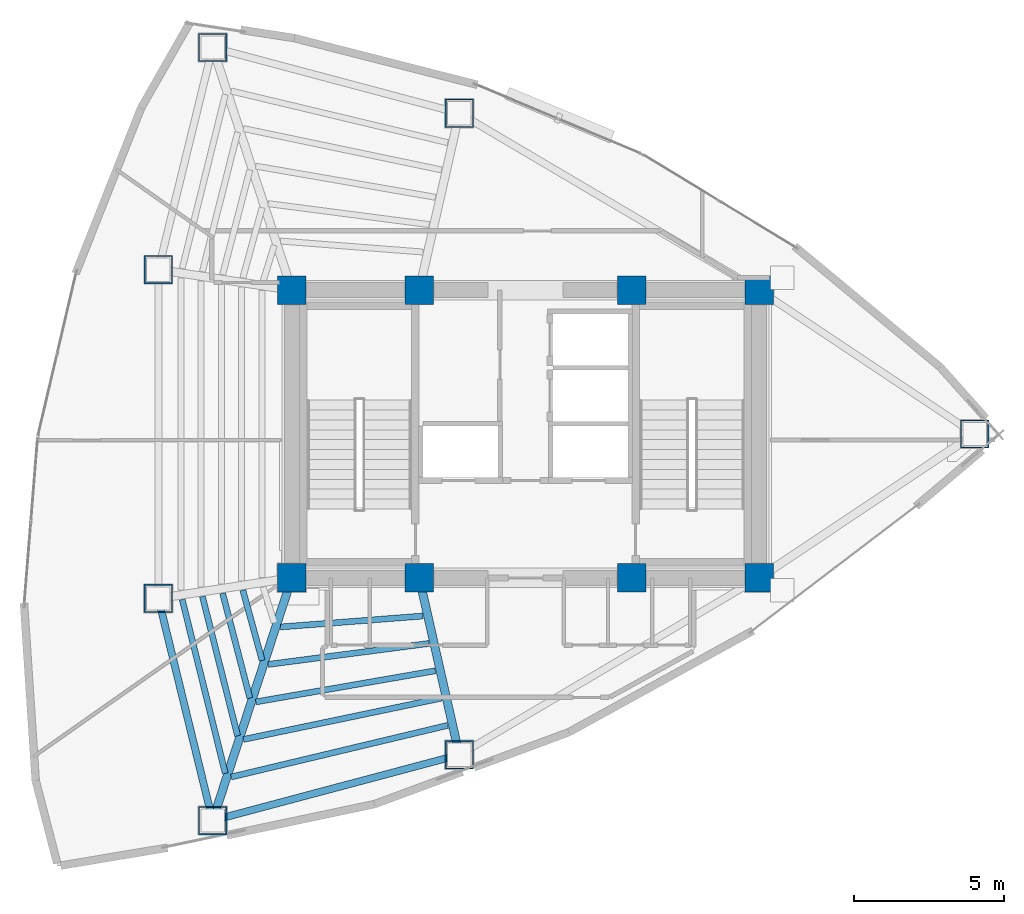
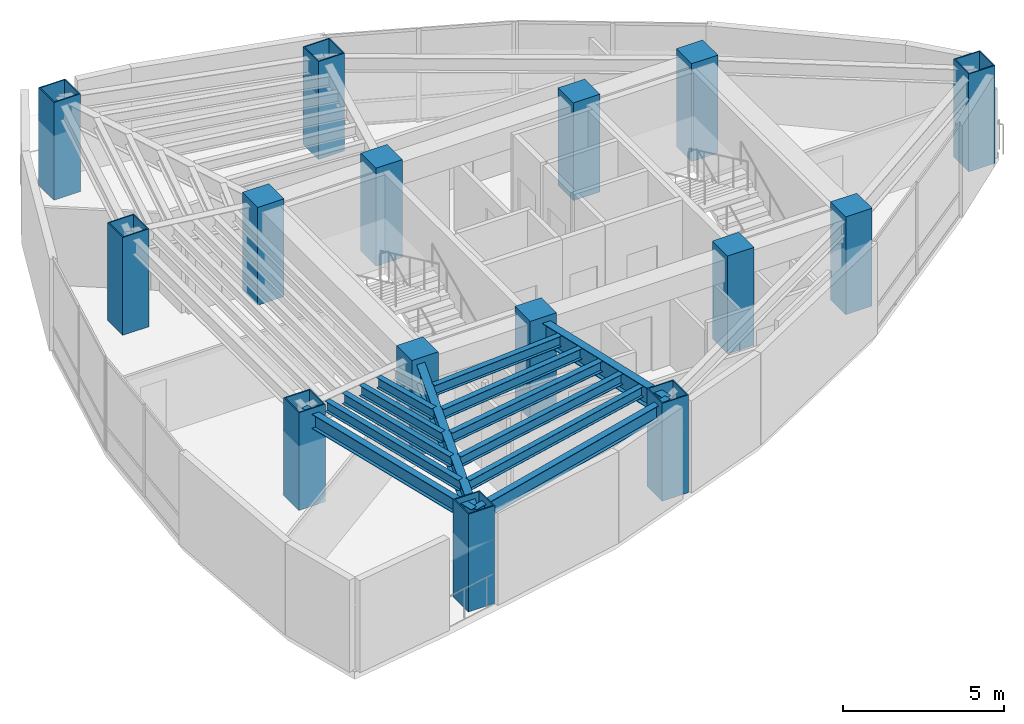
# One storey, part 1 of 15: 15 columns, 13 beams.
"""IFC4 building model written with IfcOpenShell, lengths in metres."""

from ifc_helpers import new_model, si_unit, direction, frame, origin, origin_2d, place, context, subcontext, project, spatial, rectangle, hollow_rectangle, i_section, extrude, material, material_profile, profile_set, type_object, element, save


model = new_model("IFC4")

# Units and contexts
model_context = context("Model", 3, precision=1e-05, world=origin(), true_north=direction((0.0, 1.0)))
body_context = subcontext(model_context, "Body", "Model", "MODEL_VIEW")
ifc_project = project(units=[si_unit("LENGTHUNIT", "METRE"), si_unit("AREAUNIT", "SQUARE_METRE"), si_unit("VOLUMEUNIT", "CUBIC_METRE"), si_unit("PLANEANGLEUNIT", "RADIAN"), si_unit("MASSUNIT", "GRAM", prefix="KILO")], contexts=[model_context])

# Site, building, storey
site_placement = place(None, origin())
site = spatial("IfcSite", under=ifc_project, at=site_placement, CompositionType="ELEMENT")
building_placement = place(site_placement, origin())
building = spatial("IfcBuilding", under=site, at=building_placement, Name="Menara Vayukalpa", CompositionType="ELEMENT")
storey_placement = place(building_placement, frame((0.0, 0.0, 172.919921875)))
storey = spatial("IfcBuildingStorey", under=building, at=storey_placement, Name="L43", CompositionType="ELEMENT", Elevation=172.919921875)

# Columns
ifc_material_1 = material(Name="Concrete C60/75", Category="concrete")
ifc_material_profile_1 = material_profile(ifc_material_1, rectangle(XDim=0.949951171875, YDim=0.949951171875, at=origin_2d()), Name="RC 950x950")
ifc_profile_set_1 = profile_set([ifc_material_profile_1], Name="Concrete C60/75")
column_type_1 = type_object("IfcColumnType", Name="COL-CC2", PredefinedType="COLUMN", material=ifc_profile_set_1)
for number, where, z_axis, x_axis, name in (
    (1, (17.800048828125, 17.199951171875, 0.0), (0.0, 0.0, 1.0), (1.0, 0.0, 0.0), "L43 Core Pilaster Column CC1"),
    (2, (22.050048828125, 17.199951171875, 0.0), (0.0, 0.0, 1.0), (1.0, 0.0, 0.0), "L43 Core Pilaster Column CC2"),
    (3, (29.14990234375, 17.199951171875, 0.0), (0.0, 0.0, 1.0), (1.0, 0.0, 0.0), "L43 Core Pilaster Column CC3"),
    (4, (33.39990234375, 17.199951171875, 0.0), (0.0, 0.0, 1.0), (1.0, 0.0, 0.0), "L43 Core Pilaster Column CC4"),
    (5, (17.800048828125, 26.800048828125, 0.0), (0.0, 0.0, 1.0), (1.0, 0.0, 0.0), "L43 Core Pilaster Column CC5"),
    (6, (22.050048828125, 26.800048828125, 0.0), (0.0, 0.0, 1.0), (1.0, 0.0, 0.0), "L43 Core Pilaster Column CC6"),
    (7, (29.14990234375, 26.800048828125, 0.0), (0.0, 0.0, 1.0), (1.0, 0.0, 0.0), "L43 Core Pilaster Column CC7"),
    (8, (33.39990234375, 26.800048828125, 0.0), (0.0, 0.0, 1.0), (1.0, 0.0, 0.0), "L43 Core Pilaster Column CC8"),
):
    element("IfcColumn", number, at=place(storey_placement, frame(where, z_axis=z_axis, x_axis=x_axis)), inside=storey, type_object=column_type_1, Name=name, PredefinedType="COLUMN", context=body_context, shape_type="SweptSolid", body=[
        extrude(rectangle(XDim=0.949951171875, YDim=0.949951171875, at=origin_2d()), origin(), (0.0, 0.0, 1.0), 3.719970703125),
    ])
ifc_material_2 = material(Name="Steel S460", Category="steel")
ifc_material_profile_2 = material_profile(ifc_material_2, hollow_rectangle(XDim=0.949951171875, YDim=0.949951171875, WallThickness=0.0400390625, at=origin_2d()), Name="BOX 950x950x40")
ifc_profile_set_2 = profile_set([ifc_material_profile_2], Name="Steel S460")
column_type_2 = type_object("IfcColumnType", Name="COL-MC4", PredefinedType="COLUMN", material=ifc_profile_set_2)
for number, where, z_axis, x_axis, name in (
    (9, (40.590576171875, 22.0, 0.0), (0.0, 0.0, 1.0), (1.0, 0.0, 0.0), "L43 Perimeter Mega Column P01"),
    (10, (23.389404296875, 32.70849609375, 0.0), (0.0, 0.0, 1.0), (1.0, 0.0, 0.0), "L43 Perimeter Mega Column P03"),
    (11, (15.15478515625, 34.902587890625, 0.0), (0.0, 0.0, 1.0), (1.0, 0.0, 0.0), "L43 Perimeter Mega Column P04"),
    (12, (13.343994140625, 27.4892578125, 0.0), (0.0, 0.0, 1.0), (1.0, 0.0, 0.0), "L43 Perimeter Mega Column P05"),
    (13, (13.343994140625, 16.5107421875, 0.0), (0.0, 0.0, 1.0), (1.0, 0.0, 0.0), "L43 Perimeter Mega Column P06"),
    (14, (15.15478515625, 9.097412109375, 0.0), (0.0, 0.0, 1.0), (1.0, 0.0, 0.0), "L43 Perimeter Mega Column P07"),
    (15, (23.389404296875, 11.29150390625, 0.0), (0.0, 0.0, 1.0), (1.0, 0.0, 0.0), "L43 Perimeter Mega Column P08"),
):
    element("IfcColumn", number, at=place(storey_placement, frame(where, z_axis=z_axis, x_axis=x_axis)), inside=storey, type_object=column_type_2, Name=name, PredefinedType="COLUMN", context=body_context, shape_type="SweptSolid", body=[
        extrude(hollow_rectangle(XDim=0.949951171875, YDim=0.949951171875, WallThickness=0.0400390625, at=origin_2d()), origin(), (0.0, 0.0, 1.0), 3.719970703125),
    ])

# Beams
ifc_material_3 = material(Name="Steel S355", Category="steel")
ifc_material_profile_3 = material_profile(ifc_material_3, i_section(OverallWidth=0.280029296875, OverallDepth=0.75, WebThickness=0.013916015625, FlangeThickness=0.02490234375, at=origin_2d()), Name="WF 750x280x14x25")
ifc_profile_set_3 = profile_set([ifc_material_profile_3], Name="Steel S355")
beam_type_1 = type_object("IfcBeamType", Name="BM-PG4", PredefinedType="BEAM", material=ifc_profile_set_3)
beam_1_placement = place(storey_placement, frame((17.722412109375, 16.96240234375, 3.125), z_axis=(-0.310343552153, -0.950624468251, 0.0), x_axis=(0.950624468251, -0.310343552153, 0.0)))
element("IfcBeam", 16, at=beam_1_placement, inside=storey, type_object=beam_type_1, Name="L43 Primary Radial Girder RG07", PredefinedType="BEAM", context=body_context, shape_type="SweptSolid", body=[
    extrude(i_section(OverallWidth=0.280029296875, OverallDepth=0.75, WebThickness=0.013916015625, FlangeThickness=0.02490234375, at=origin_2d()), origin(), (0.0, 0.0, 1.0), 8.2734375),
])
beam_2_placement = place(storey_placement, frame((22.105224609375, 16.956298828125, 3.125), z_axis=(0.221085149161, -0.975254508741, 0.0), x_axis=(0.975254508741, 0.221085149161, 0.0)))
element("IfcBeam", 17, at=beam_2_placement, inside=storey, type_object=beam_type_1, Name="L43 Primary Radial Girder RG08", PredefinedType="BEAM", context=body_context, shape_type="SweptSolid", body=[
    extrude(i_section(OverallWidth=0.280029296875, OverallDepth=0.75, WebThickness=0.013916015625, FlangeThickness=0.02490234375, at=origin_2d()), origin(), (0.0, 0.0, 1.0), 5.80859375),
])
ifc_material_4 = material(Name="Steel S355", Category="steel")
ifc_material_profile_4 = material_profile(ifc_material_4, i_section(OverallWidth=0.199951171875, OverallDepth=0.39990234375, WebThickness=0.008056640625, FlangeThickness=0.012939453125, at=origin_2d()), Name="WF 400x200x8x13")
ifc_profile_set_4 = profile_set([ifc_material_profile_4], Name="Steel S355")
beam_type_2 = type_object("IfcBeamType", Name="BM-SJ2", PredefinedType="JOIST", material=ifc_profile_set_4)
beam_3_placement = place(storey_placement, frame((16.164306640625, 16.7861328125, 3.300048828125), z_axis=(0.264502665082, -0.964384954344, 0.0), x_axis=(0.964384954344, 0.264502665082, 0.0)))
element("IfcBeam", 18, at=beam_3_placement, inside=storey, type_object=beam_type_2, Name="L43 Secondary Floor Joist SJ06-2", PredefinedType="JOIST", context=body_context, shape_type="SweptSolid", body=[
    extrude(i_section(OverallWidth=0.199951171875, OverallDepth=0.39990234375, WebThickness=0.008056640625, FlangeThickness=0.012939453125, at=origin_2d()), origin(), (0.0, 0.0, 1.0), 2.430419921875),
])
beam_4_placement = place(storey_placement, frame((15.48876953125, 16.681396484375, 3.300048828125), z_axis=(0.251714869346, -0.967801438597, 0.0), x_axis=(0.967801438597, 0.251714869346, 0.0)))
element("IfcBeam", 19, at=beam_4_placement, inside=storey, type_object=beam_type_2, Name="L43 Secondary Floor Joist SJ06-3", PredefinedType="JOIST", context=body_context, shape_type="SweptSolid", body=[
    extrude(i_section(OverallWidth=0.199951171875, OverallDepth=0.39990234375, WebThickness=0.008056640625, FlangeThickness=0.012939453125, at=origin_2d()), origin(), (0.0, 0.0, 1.0), 3.61279296875),
])
beam_5_placement = place(storey_placement, frame((14.814208984375, 16.576904296875, 3.300048828125), z_axis=(0.24483447751, -0.969564891393, 0.0), x_axis=(0.969564891393, 0.24483447751, 0.0)))
element("IfcBeam", 20, at=beam_5_placement, inside=storey, type_object=beam_type_2, Name="L43 Secondary Floor Joist SJ06-4", PredefinedType="JOIST", context=body_context, shape_type="SweptSolid", body=[
    extrude(i_section(OverallWidth=0.199951171875, OverallDepth=0.39990234375, WebThickness=0.008056640625, FlangeThickness=0.012939453125, at=origin_2d()), origin(), (0.0, 0.0, 1.0), 4.79638671875),
])
beam_6_placement = place(storey_placement, frame((14.14013671875, 16.47265625, 3.300048828125), z_axis=(0.240556182956, -0.970635216156, 0.0), x_axis=(0.970635216156, 0.240556182956, 0.0)))
element("IfcBeam", 21, at=beam_6_placement, inside=storey, type_object=beam_type_2, Name="L43 Secondary Floor Joist SJ06-5", PredefinedType="JOIST", context=body_context, shape_type="SweptSolid", body=[
    extrude(i_section(OverallWidth=0.199951171875, OverallDepth=0.39990234375, WebThickness=0.008056640625, FlangeThickness=0.012939453125, at=origin_2d()), origin(), (0.0, 0.0, 1.0), 5.979736328125),
])
beam_7_placement = place(storey_placement, frame((17.419921875, 15.558837890625, 3.300048828125), z_axis=(0.997061705182, 0.076602585202, 0.0), x_axis=(-0.076602585202, 0.997061705182, 0.0)))
element("IfcBeam", 22, at=beam_7_placement, inside=storey, type_object=beam_type_2, Name="L43 Secondary Floor Joist SJ07-1", PredefinedType="JOIST", context=body_context, shape_type="SweptSolid", body=[
    extrude(i_section(OverallWidth=0.199951171875, OverallDepth=0.39990234375, WebThickness=0.008056640625, FlangeThickness=0.012939453125, at=origin_2d()), origin(), (0.0, 0.0, 1.0), 4.77099609375),
])
beam_8_placement = place(storey_placement, frame((17.008056640625, 14.308837890625, 3.300048828125), z_axis=(0.99161070493, 0.129260240866, 0.0), x_axis=(-0.129260240866, 0.99161070493, 0.0)))
element("IfcBeam", 23, at=beam_8_placement, inside=storey, type_object=beam_type_2, Name="L43 Secondary Floor Joist SJ07-2", PredefinedType="JOIST", context=body_context, shape_type="SweptSolid", body=[
    extrude(i_section(OverallWidth=0.199951171875, OverallDepth=0.39990234375, WebThickness=0.008056640625, FlangeThickness=0.012939453125, at=origin_2d()), origin(), (0.0, 0.0, 1.0), 5.420654296875),
])
beam_9_placement = place(storey_placement, frame((16.59619140625, 13.05712890625, 3.300048828125), z_axis=(0.985288833054, 0.170897382832, 0.0), x_axis=(-0.170897382832, 0.985288833054, 0.0)))
element("IfcBeam", 24, at=beam_9_placement, inside=storey, type_object=beam_type_2, Name="L43 Secondary Floor Joist SJ07-3", PredefinedType="JOIST", context=body_context, shape_type="SweptSolid", body=[
    extrude(i_section(OverallWidth=0.199951171875, OverallDepth=0.39990234375, WebThickness=0.008056640625, FlangeThickness=0.012939453125, at=origin_2d()), origin(), (0.0, 0.0, 1.0), 6.0830078125),
])
beam_10_placement = place(storey_placement, frame((16.184326171875, 11.80419921875, 3.300048828125), z_axis=(0.97888709748, 0.204401688806, 0.0), x_axis=(-0.204401688806, 0.97888709748, 0.0)))
element("IfcBeam", 25, at=beam_10_placement, inside=storey, type_object=beam_type_2, Name="L43 Secondary Floor Joist SJ07-4", PredefinedType="JOIST", context=body_context, shape_type="SweptSolid", body=[
    extrude(i_section(OverallWidth=0.199951171875, OverallDepth=0.39990234375, WebThickness=0.008056640625, FlangeThickness=0.012939453125, at=origin_2d()), origin(), (0.0, 0.0, 1.0), 6.75439453125),
])
beam_11_placement = place(storey_placement, frame((15.772705078125, 10.55029296875, 3.300048828125), z_axis=(0.972731800574, 0.231932844055, 0.0), x_axis=(-0.231932844055, 0.972731800574, 0.0)))
element("IfcBeam", 26, at=beam_11_placement, inside=storey, type_object=beam_type_2, Name="L43 Secondary Floor Joist SJ07-5", PredefinedType="JOIST", context=body_context, shape_type="SweptSolid", body=[
    extrude(i_section(OverallWidth=0.199951171875, OverallDepth=0.39990234375, WebThickness=0.008056640625, FlangeThickness=0.012939453125, at=origin_2d()), origin(), (0.0, 0.0, 1.0), 7.4326171875),
])
ifc_material_5 = material(Name="Steel S355", Category="steel")
ifc_material_profile_5 = material_profile(ifc_material_5, i_section(OverallWidth=0.239990234375, OverallDepth=0.550048828125, WebThickness=0.010986328125, FlangeThickness=0.01904296875, at=origin_2d()), Name="WF 550x240x11x19")
ifc_profile_set_5 = profile_set([ifc_material_profile_5], Name="Steel S355")
beam_type_3 = type_object("IfcBeamType", Name="BM-SP2", PredefinedType="SPANDREL", material=ifc_profile_set_5)
beam_12_placement = place(storey_placement, frame((13.343994140625, 16.5107421875, 3.22509765625), z_axis=(0.237285374413, -0.971439988414, 0.0), x_axis=(0.971439988414, 0.237285374413, 0.0)))
element("IfcBeam", 27, at=beam_12_placement, inside=storey, type_object=beam_type_3, Name="L43 Perimeter Spandrel Beam SP06", PredefinedType="SPANDREL", context=body_context, shape_type="SweptSolid", body=[
    extrude(i_section(OverallWidth=0.239990234375, OverallDepth=0.550048828125, WebThickness=0.010986328125, FlangeThickness=0.01904296875, at=origin_2d()), origin(), (0.0, 0.0, 1.0), 7.63134765625),
])
beam_13_placement = place(storey_placement, frame((15.15478515625, 9.097412109375, 3.22509765625), z_axis=(0.966287699272, 0.25746472037, 0.0), x_axis=(-0.25746472037, 0.966287699272, 0.0)))
element("IfcBeam", 28, at=beam_13_placement, inside=storey, type_object=beam_type_3, Name="L43 Perimeter Spandrel Beam SP07", PredefinedType="SPANDREL", context=body_context, shape_type="SweptSolid", body=[
    extrude(i_section(OverallWidth=0.239990234375, OverallDepth=0.550048828125, WebThickness=0.010986328125, FlangeThickness=0.01904296875, at=origin_2d()), origin(), (0.0, 0.0, 1.0), 8.52197265625),
])

save(model, "model.ifc")
